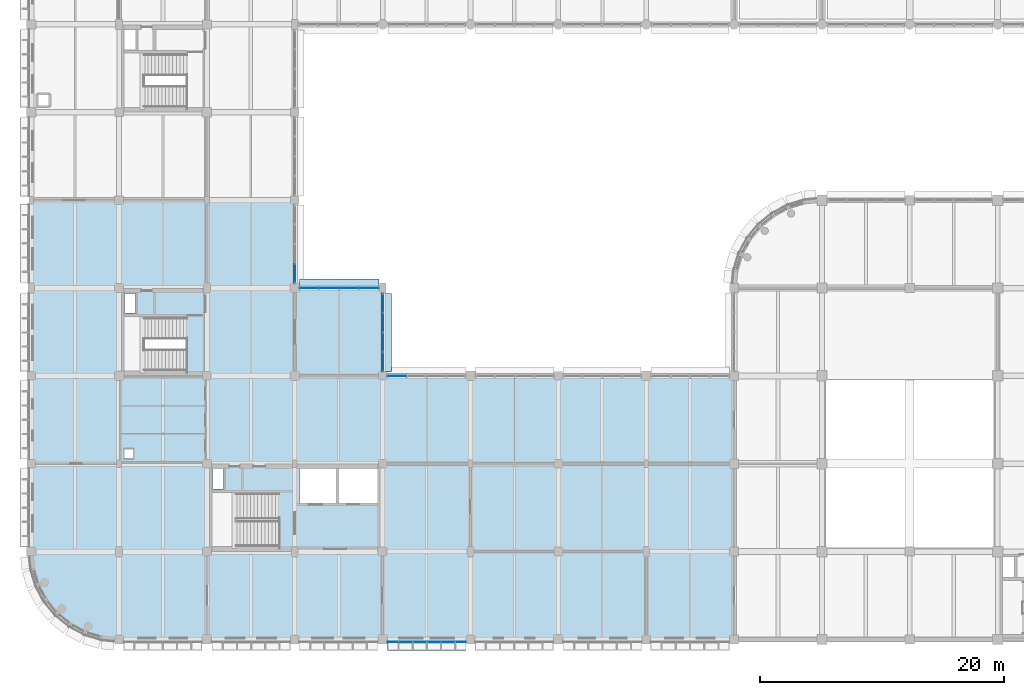
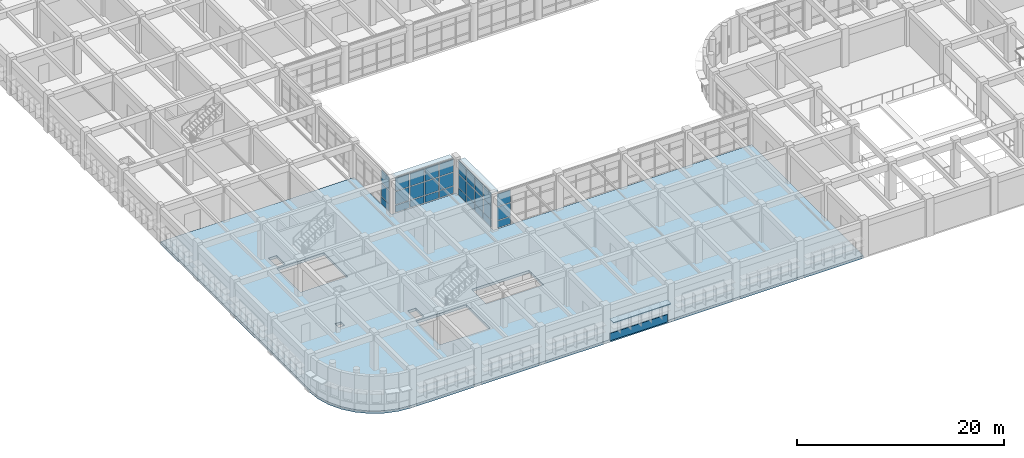
# One storey, part 118 of 171: 34 plates, 1 slab, 4 elements without a shape of their own.
"""IFC4 building model written with IfcOpenShell, lengths in metres."""

import ifcopenshell
import ifcopenshell.guid

model = None  # the IFC model being written
_history = None  # IfcOwnerHistory: only IFC2X3 demands one
_inside = {}  # id of a spatial element -> (the spatial element, [elements in it])
_under = {}  # id of a project, library or spatial element -> (it, [spatial elements below it])
_declared = {}  # id of a project -> (the project, [libraries it declares])
_typed = {}  # id of a type object -> (the type object, [elements of that type])
_made_of = {}  # id of a material, layer set ... -> (it, [elements and type objects made of it])


def new_model(schema):
    """Start an empty IFC model of exactly this schema.

    Asked for "IFC4X3", IfcOpenShell would pick the latest addendum, in which some entities
    have other attributes; the version numbers below select the first issue.
    IFC2X3 requires an IfcOwnerHistory on every rooted entity: one is made here for all.
    """
    global model, _history
    if schema == "IFC4X3":
        model = ifcopenshell.file(schema_version=(4, 3, 0, 0))
    else:
        model = ifcopenshell.file(schema=schema)
    _inside.clear()
    _under.clear()
    _declared.clear()
    _typed.clear()
    _made_of.clear()
    _history = None
    if model.schema == "IFC2X3":
        org = make("IfcOrganization", Name="unknown")
        user = make(
            "IfcPersonAndOrganization",
            ThePerson=make("IfcPerson", FamilyName="unknown"),
            TheOrganization=org,
        )
        app = make(
            "IfcApplication",
            ApplicationDeveloper=org,
            Version="unknown",
            ApplicationFullName="unknown",
            ApplicationIdentifier="unknown",
        )
        _history = make(
            "IfcOwnerHistory",
            OwningUser=user,
            OwningApplication=app,
            ChangeAction="ADDED",
            CreationDate=0,
        )
    return model


def make(cls, **values):
    """One entity of the class cls with the attributes given. An attribute that is None is left unset."""
    return model.create_entity(
        cls, **{name: value for name, value in values.items() if value is not None}
    )


def rooted(cls, **values):
    """An entity with a GlobalId (a new one), such as an element, a storey or a relation."""
    return make(cls, GlobalId=ifcopenshell.guid.new(), OwnerHistory=_history, **values)


def si_unit(unit_type, name, prefix=None):
    """IfcSIUnit, for example si_unit("LENGTHUNIT", "METRE", prefix="MILLI")."""
    return make("IfcSIUnit", UnitType=unit_type, Prefix=prefix, Name=name)


def assignment(units):
    """IfcUnitAssignment: the units of a project."""
    return None if units is None else make("IfcUnitAssignment", Units=units)


def point(xyz):
    """IfcCartesianPoint."""
    return None if xyz is None else make("IfcCartesianPoint", Coordinates=xyz)


def direction(xyz):
    """IfcDirection."""
    return None if xyz is None else make("IfcDirection", DirectionRatios=xyz)


def frame(location, z_axis=None, x_axis=None):
    """IfcAxis2Placement3D, a coordinate frame: its origin and axes. An axis left out is left unset."""
    return make(
        "IfcAxis2Placement3D",
        Location=point(location),
        Axis=direction(z_axis),
        RefDirection=direction(x_axis),
    )


def frame_2d(location, x_axis=None):
    """IfcAxis2Placement2D, a coordinate frame in the plane: its origin and x axis."""
    return make(
        "IfcAxis2Placement2D", Location=point(location), RefDirection=direction(x_axis)
    )


def origin():
    """The frame at (0, 0, 0) with its axes left unset."""
    return frame((0.0, 0.0, 0.0))


def origin_2d():
    """The frame at (0, 0) in the plane with its x axis left unset."""
    return frame_2d((0.0, 0.0))


def place(relative_to, where):
    """IfcLocalPlacement: puts the frame where relative to a parent placement (None: the world)."""
    return make(
        "IfcLocalPlacement", PlacementRelTo=relative_to, RelativePlacement=where
    )


def context(
    kind, dimensions, precision=None, world=None, true_north=None, identifier=None
):
    """IfcGeometricRepresentationContext, for example the 3D "Model" context."""
    return make(
        "IfcGeometricRepresentationContext",
        ContextIdentifier=identifier,
        ContextType=kind,
        CoordinateSpaceDimension=dimensions,
        Precision=precision,
        WorldCoordinateSystem=world,
        TrueNorth=true_north,
    )


def subcontext(parent, identifier, kind, view, scale=None):
    """IfcGeometricRepresentationSubContext, for example "Body" below "Model"."""
    return make(
        "IfcGeometricRepresentationSubContext",
        ContextIdentifier=identifier,
        ContextType=kind,
        ParentContext=parent,
        TargetScale=scale,
        TargetView=view,
    )


def project(units=None, contexts=None):
    """IfcProject with its units and contexts."""
    return rooted(
        "IfcProject",
        Name="project",
        RepresentationContexts=contexts,
        UnitsInContext=assignment(units),
    )


def spatial(cls, under=None, at=None, **own):
    """A site, building, storey or space (cls), placed at a placement, below another one or the project."""
    s = rooted(cls, ObjectPlacement=at, **own)
    if under is not None:
        _under.setdefault(under.id(), (under, []))[1].append(s)
    return s


def polyline(points):
    """IfcPolyline through the points."""
    return make("IfcPolyline", Points=[point(p) for p in points])


def profile(cls, at=None, kind="AREA", **sizes):
    """A parametric profile (cls). Its sizes go by their IFC names, for example OverallWidth=200.0."""
    return make(cls, ProfileType=kind, Position=at, **sizes)


def rectangle(**sizes):
    """IfcRectangleProfileDef."""
    return profile("IfcRectangleProfileDef", **sizes)


def outline(outer, holes=None, kind="AREA"):
    """IfcArbitraryClosedProfileDef: a profile drawn as a closed curve; with holes, ...WithVoids."""
    if holes is None:
        return make("IfcArbitraryClosedProfileDef", ProfileType=kind, OuterCurve=outer)
    return make(
        "IfcArbitraryProfileDefWithVoids",
        ProfileType=kind,
        OuterCurve=outer,
        InnerCurves=holes,
    )


def extrude(swept, where, along, depth):
    """IfcExtrudedAreaSolid: the profile swept, set in the frame where, extruded along a direction by depth."""
    return make(
        "IfcExtrudedAreaSolid",
        SweptArea=swept,
        Position=where,
        ExtrudedDirection=direction(along),
        Depth=depth,
    )


def shape(context_of_items, identifier, shape_type, items):
    """IfcShapeRepresentation: the items that make up one representation, for example the "Body"."""
    return make(
        "IfcShapeRepresentation",
        ContextOfItems=context_of_items,
        RepresentationIdentifier=identifier,
        RepresentationType=shape_type,
        Items=items,
    )


def material(Name=None, Category=None):
    """IfcMaterial."""
    return make("IfcMaterial", Name=Name, Category=Category)


def layer(
    of_material, thickness, ventilated=None, Name=None, Category=None, Priority=None
):
    """IfcMaterialLayer: one layer of a wall or slab, of a material (None: an air gap)."""
    return make(
        "IfcMaterialLayer",
        Material=of_material,
        LayerThickness=thickness,
        IsVentilated=ventilated,
        Name=Name,
        Category=Category,
        Priority=Priority,
    )


def layer_set(layers, Name=None):
    """IfcMaterialLayerSet."""
    return make("IfcMaterialLayerSet", MaterialLayers=layers, LayerSetName=Name)


def made_of(thing, what):
    """Note that an element or type object is made of a material, layer set ...; save() writes the relation."""
    if what is not None:
        _made_of.setdefault(what.id(), (what, []))[1].append(thing)
    return thing


def type_object(cls, material=None, **own):
    """A type object (cls), such as IfcWallType, which elements share."""
    return made_of(rooted(cls, **own), material)


def element(
    cls,
    number,
    at=None,
    inside=None,
    cuts=None,
    type_object=None,
    material=None,
    context=None,
    identifier="Body",
    shape_type=None,
    held_by="IfcProductDefinitionShape",
    body=None,
    shapes=None,
    **own,
):
    """One element of the class cls, such as IfcWall. Its Tag is "e" and its number.

    at: its placement. inside: the storey or other place that contains it. cuts: it is an
    opening in that element (IfcRelVoidsElement). A single representation is given by context,
    identifier, shape_type and body (its items); several are given by shapes. held_by: the class
    of the entity that holds the representations. save() writes the other relations.
    """
    e = rooted(cls, Tag="e%d" % number, ObjectPlacement=at, **own)
    if body is not None:
        shapes = [shape(context, identifier, shape_type, body)]
    if shapes is not None:
        e.Representation = make(held_by, Representations=shapes)
    if inside is not None:
        _inside.setdefault(inside.id(), (inside, []))[1].append(e)
    if cuts is not None:
        rooted(
            "IfcRelVoidsElement", RelatingBuildingElement=cuts, RelatedOpeningElement=e
        )
    if type_object is not None:
        _typed.setdefault(type_object.id(), (type_object, []))[1].append(e)
    return made_of(e, material)


def aggregate(whole, parts):
    """IfcRelAggregates: a whole, such as a stair, and the parts it consists of."""
    return rooted("IfcRelAggregates", RelatingObject=whole, RelatedObjects=parts)


def save(model, path):
    """Write the relations noted so far, then the file.

    IfcRelAggregates (storeys below a building ...), IfcRelContainedInSpatialStructure (elements
    in a storey), IfcRelDefinesByType, IfcRelAssociatesMaterial and IfcRelDeclares: one each for
    every whole, place, type object, material and project.
    """
    for whole, parts in _under.values():
        aggregate(whole, parts)
    for where, things in _inside.values():
        rooted(
            "IfcRelContainedInSpatialStructure",
            RelatedElements=things,
            RelatingStructure=where,
        )
    for kind, things in _typed.values():
        rooted("IfcRelDefinesByType", RelatedObjects=things, RelatingType=kind)
    for what, things in _made_of.values():
        rooted("IfcRelAssociatesMaterial", RelatedObjects=things, RelatingMaterial=what)
    for by, libraries in _declared.values():
        rooted("IfcRelDeclares", RelatingContext=by, RelatedDefinitions=libraries)
    model.write(path)


model = new_model("IFC4")

# Units and contexts
model_context = context("Model", 3, precision=1e-05, world=origin(), true_north=direction((0.0, 1.0)))
body_context = subcontext(model_context, "Body", "Model", "MODEL_VIEW")
ifc_project = project(units=[si_unit("LENGTHUNIT", "METRE"), si_unit("AREAUNIT", "SQUARE_METRE"), si_unit("VOLUMEUNIT", "CUBIC_METRE"), si_unit("PLANEANGLEUNIT", "RADIAN"), si_unit("MASSUNIT", "GRAM", prefix="KILO")], contexts=[model_context])

# Site, building, storey
site_placement = place(None, origin())
site = spatial("IfcSite", under=ifc_project, at=site_placement, CompositionType="ELEMENT")
building_placement = place(site_placement, origin())
building = spatial("IfcBuilding", under=site, at=building_placement, Name="Thalmaran Polytechnic", CompositionType="ELEMENT")
storey_placement = place(building_placement, frame((0.0, 0.0, 5.39990234375)))
storey = spatial("IfcBuildingStorey", under=building, at=storey_placement, Name="L01", CompositionType="ELEMENT", Elevation=5.39990234375)

# Plates
ifc_material_1 = material(Name="Anodised aluminium spandrel band", Category="aluminium")
ifc_layer_1 = layer(ifc_material_1, 0.054931640625, Name="Anodised aluminium spandrel band")
ifc_layer_set_1 = layer_set([ifc_layer_1], Name="Anodised aluminium spandrel band")
plate_type_1 = type_object("IfcPlateType", Name="PT-BD01", PredefinedType="SHEET", material=ifc_layer_set_1)
plate_1_placement = place(storey_placement, frame((32.419921875, -0.195068359375, 0.020263671875), z_axis=(0.0, 0.0, 1.0), x_axis=(-1.0, 0.0, 0.0)))
element("IfcPlate", 1, at=plate_1_placement, inside=storey, type_object=plate_type_1, Name="Streamline Horizontal Spandrel Band L01-088", PredefinedType="SHEET", context=body_context, shape_type="SweptSolid", body=[
    extrude(rectangle(XDim=6.419921875, YDim=0.054931640625, at=origin_2d()), origin(), (0.0, 0.0, 1.0), 0.8798828125),
])
ifc_material_2 = material(Name="Anodised aluminium sun-hood eyebrow", Category="aluminium")
ifc_layer_2 = layer(ifc_material_2, 0.0849609375, Name="Anodised aluminium sun-hood eyebrow")
ifc_layer_set_2 = layer_set([ifc_layer_2], Name="Anodised aluminium sun-hood eyebrow")
plate_type_2 = type_object("IfcPlateType", Name="PT-EB01", PredefinedType="SHEET", material=ifc_layer_set_2)
plate_2_placement = place(storey_placement, frame((32.419921875, -0.5400390625, 2.517578125), z_axis=(0.0, 0.0, 1.0), x_axis=(-1.0, 0.0, 0.0)))
element("IfcPlate", 2, at=plate_2_placement, inside=storey, type_object=plate_type_2, Name="Streamline Sun-Hood Eyebrow L01-088", PredefinedType="SHEET", context=body_context, shape_type="SweptSolid", body=[
    extrude(rectangle(XDim=6.419921875, YDim=0.760009765625, at=origin_2d()), origin(), (0.0, 0.0, 1.0), 0.0849609375),
])
plate_3_placement = place(storey_placement, frame((25.25, 29.159912109375, 4.107666015625), z_axis=(0.0, 0.0, 1.0), x_axis=(1.0, 0.0, 0.0)))
element("IfcPlate", 3, at=plate_3_placement, inside=storey, type_object=plate_type_2, Name="Streamline Sun-Hood Eyebrow L01-CW161", PredefinedType="SHEET", context=body_context, shape_type="SweptSolid", body=[
    extrude(rectangle(XDim=6.510009765625, YDim=0.760009765625, at=origin_2d()), origin(), (0.0, 0.0, 1.0), 0.0849609375),
])
plate_4_placement = place(storey_placement, frame((29.159912109375, 25.16259765625, 4.107666015625), z_axis=(0.0, 0.0, 1.0), x_axis=(0.0, -1.0, 0.0)))
element("IfcPlate", 4, at=plate_4_placement, inside=storey, type_object=plate_type_2, Name="Streamline Sun-Hood Eyebrow L01-CW162", PredefinedType="SHEET", context=body_context, shape_type="SweptSolid", body=[
    extrude(rectangle(XDim=6.385009765625, YDim=0.760009765625, at=origin_2d()), origin(), (0.0, 0.0, 1.0), 0.0849609375),
])

# Curtain wall, plates
ifc_material_3 = material(Name="Aluminium 6063-T6", Category="aluminium")
curtain_wall_type = type_object("IfcCurtainWallType", Name="CW-UC02", PredefinedType="USERDEFINED", material=ifc_material_3)
curtain_wall_1_placement = place(storey_placement, origin())
curtain_wall_1 = element("IfcCurtainWall", 5, at=curtain_wall_1_placement, inside=storey, type_object=curtain_wall_type, Name="Curtain Wall CW-L01-160", ObjectType="UNITISED CURTAIN WALL", PredefinedType="USERDEFINED")
ifc_material_4 = material(Name="Solar-control double low-E glass", Category="glass")
ifc_layer_3 = layer(ifc_material_4, 0.035888671875, Name="Solar-control double low-E glass")
ifc_layer_set_3 = layer_set([ifc_layer_3], Name="Solar-control double low-E glass")
plate_type_3 = type_object("IfcPlateType", Name="PT-GL01", PredefinedType="CURTAIN_PANEL", material=ifc_layer_set_3)
plate_5_placement = place(storey_placement, frame((21.60009765625, 29.983154296875, 1.000244140625), z_axis=(0.0, 0.0, 1.0), x_axis=(0.0, -1.0, 0.0)))
plate_5 = element("IfcPlate", 6, at=plate_5_placement, type_object=plate_type_3, Name="CW-L01-160 Vision Panel 4-2", PredefinedType="CURTAIN_PANEL", context=body_context, shape_type="SweptSolid", body=[
    extrude(rectangle(XDim=1.516357421875, YDim=0.035888671875, at=origin_2d()), origin(), (0.0, 0.0, 1.0), 1.544921875),
])
plate_6_placement = place(storey_placement, frame((21.60009765625, 29.983154296875, 2.625), z_axis=(0.0, 0.0, 1.0), x_axis=(0.0, -1.0, 0.0)))
plate_6 = element("IfcPlate", 7, at=plate_6_placement, type_object=plate_type_3, Name="CW-L01-160 Vision Panel 4-3", PredefinedType="CURTAIN_PANEL", context=body_context, shape_type="SweptSolid", body=[
    extrude(rectangle(XDim=1.516357421875, YDim=0.035888671875, at=origin_2d()), origin(), (0.0, 0.0, 1.0), 1.485107421875),
])

curtain_wall_2_placement = place(storey_placement, origin())
curtain_wall_2 = element("IfcCurtainWall", 8, at=curtain_wall_2_placement, inside=storey, type_object=curtain_wall_type, Name="Curtain Wall CW-L01-161", ObjectType="UNITISED CURTAIN WALL", PredefinedType="USERDEFINED")
ifc_layer_4 = layer(ifc_material_4, 0.035888671875, Name="Solar-control double low-E glass")
ifc_layer_set_4 = layer_set([ifc_layer_4], Name="Solar-control double low-E glass")
plate_type_4 = type_object("IfcPlateType", Name="PT-GL02", PredefinedType="CURTAIN_PANEL", material=ifc_layer_set_4)
plate_7_placement = place(storey_placement, frame((22.793701171875, 28.800048828125, 1.000244140625), z_axis=(0.0, 0.0, 1.0), x_axis=(1.0, 0.0, 0.0)))
plate_7 = element("IfcPlate", 9, at=plate_7_placement, type_object=plate_type_4, Name="CW-L01-161 Vision Panel 1-2", PredefinedType="CURTAIN_PANEL", context=body_context, shape_type="SweptSolid", body=[
    extrude(rectangle(XDim=1.53759765625, YDim=0.035888671875, at=origin_2d()), origin(), (0.0, 0.0, 1.0), 1.544921875),
])
plate_8_placement = place(storey_placement, frame((22.793701171875, 28.800048828125, 2.625), z_axis=(0.0, 0.0, 1.0), x_axis=(1.0, 0.0, 0.0)))
plate_8 = element("IfcPlate", 10, at=plate_8_placement, type_object=plate_type_4, Name="CW-L01-161 Vision Panel 1-3", PredefinedType="CURTAIN_PANEL", context=body_context, shape_type="SweptSolid", body=[
    extrude(rectangle(XDim=1.53759765625, YDim=0.035888671875, at=origin_2d()), origin(), (0.0, 0.0, 1.0), 1.485107421875),
])
plate_9_placement = place(storey_placement, frame((24.43115234375, 28.800048828125, 1.000244140625), z_axis=(0.0, 0.0, 1.0), x_axis=(1.0, 0.0, 0.0)))
plate_9 = element("IfcPlate", 11, at=plate_9_placement, type_object=plate_type_4, Name="CW-L01-161 Vision Panel 2-2", PredefinedType="CURTAIN_PANEL", context=body_context, shape_type="SweptSolid", body=[
    extrude(rectangle(XDim=1.53759765625, YDim=0.035888671875, at=origin_2d()), origin(), (0.0, 0.0, 1.0), 1.544921875),
])
plate_10_placement = place(storey_placement, frame((24.43115234375, 28.800048828125, 2.625), z_axis=(0.0, 0.0, 1.0), x_axis=(1.0, 0.0, 0.0)))
plate_10 = element("IfcPlate", 12, at=plate_10_placement, type_object=plate_type_4, Name="CW-L01-161 Vision Panel 2-3", PredefinedType="CURTAIN_PANEL", context=body_context, shape_type="SweptSolid", body=[
    extrude(rectangle(XDim=1.53759765625, YDim=0.035888671875, at=origin_2d()), origin(), (0.0, 0.0, 1.0), 1.485107421875),
])
plate_11_placement = place(storey_placement, frame((26.06884765625, 28.800048828125, 1.000244140625), z_axis=(0.0, 0.0, 1.0), x_axis=(1.0, 0.0, 0.0)))
plate_11 = element("IfcPlate", 13, at=plate_11_placement, type_object=plate_type_4, Name="CW-L01-161 Vision Panel 3-2", PredefinedType="CURTAIN_PANEL", context=body_context, shape_type="SweptSolid", body=[
    extrude(rectangle(XDim=1.53759765625, YDim=0.035888671875, at=origin_2d()), origin(), (0.0, 0.0, 1.0), 1.544921875),
])
plate_12_placement = place(storey_placement, frame((26.06884765625, 28.800048828125, 2.625), z_axis=(0.0, 0.0, 1.0), x_axis=(1.0, 0.0, 0.0)))
plate_12 = element("IfcPlate", 14, at=plate_12_placement, type_object=plate_type_4, Name="CW-L01-161 Vision Panel 3-3", PredefinedType="CURTAIN_PANEL", context=body_context, shape_type="SweptSolid", body=[
    extrude(rectangle(XDim=1.53759765625, YDim=0.035888671875, at=origin_2d()), origin(), (0.0, 0.0, 1.0), 1.485107421875),
])
plate_13_placement = place(storey_placement, frame((27.706298828125, 28.800048828125, 1.000244140625), z_axis=(0.0, 0.0, 1.0), x_axis=(1.0, 0.0, 0.0)))
plate_13 = element("IfcPlate", 15, at=plate_13_placement, type_object=plate_type_4, Name="CW-L01-161 Vision Panel 4-2", PredefinedType="CURTAIN_PANEL", context=body_context, shape_type="SweptSolid", body=[
    extrude(rectangle(XDim=1.53759765625, YDim=0.035888671875, at=origin_2d()), origin(), (0.0, 0.0, 1.0), 1.544921875),
])
plate_14_placement = place(storey_placement, frame((27.706298828125, 28.800048828125, 2.625), z_axis=(0.0, 0.0, 1.0), x_axis=(1.0, 0.0, 0.0)))
plate_14 = element("IfcPlate", 16, at=plate_14_placement, type_object=plate_type_4, Name="CW-L01-161 Vision Panel 4-3", PredefinedType="CURTAIN_PANEL", context=body_context, shape_type="SweptSolid", body=[
    extrude(rectangle(XDim=1.53759765625, YDim=0.035888671875, at=origin_2d()), origin(), (0.0, 0.0, 1.0), 1.485107421875),
])

curtain_wall_3_placement = place(storey_placement, origin())
curtain_wall_3 = element("IfcCurtainWall", 17, at=curtain_wall_3_placement, inside=storey, type_object=curtain_wall_type, Name="Curtain Wall CW-L01-162", ObjectType="UNITISED CURTAIN WALL", PredefinedType="USERDEFINED")
ifc_layer_5 = layer(ifc_material_4, 0.035888671875, Name="Solar-control double low-E glass")
ifc_layer_set_5 = layer_set([ifc_layer_5], Name="Solar-control double low-E glass")
plate_type_5 = type_object("IfcPlateType", Name="PT-GL03", PredefinedType="CURTAIN_PANEL", material=ifc_layer_set_5)
plate_15_placement = place(storey_placement, frame((28.800048828125, 27.57177734375, 1.000244140625), z_axis=(0.0, 0.0, 1.0), x_axis=(0.0, -1.0, 0.0)))
plate_15 = element("IfcPlate", 18, at=plate_15_placement, type_object=plate_type_5, Name="CW-L01-162 Vision Panel 1-2", PredefinedType="CURTAIN_PANEL", context=body_context, shape_type="SweptSolid", body=[
    extrude(rectangle(XDim=1.50634765625, YDim=0.035888671875, at=origin_2d()), origin(), (0.0, 0.0, 1.0), 1.544921875),
])
plate_16_placement = place(storey_placement, frame((28.800048828125, 27.57177734375, 2.625), z_axis=(0.0, 0.0, 1.0), x_axis=(0.0, -1.0, 0.0)))
plate_16 = element("IfcPlate", 19, at=plate_16_placement, type_object=plate_type_5, Name="CW-L01-162 Vision Panel 1-3", PredefinedType="CURTAIN_PANEL", context=body_context, shape_type="SweptSolid", body=[
    extrude(rectangle(XDim=1.50634765625, YDim=0.035888671875, at=origin_2d()), origin(), (0.0, 0.0, 1.0), 1.485107421875),
])
plate_17_placement = place(storey_placement, frame((28.800048828125, 25.965576171875, 1.000244140625), z_axis=(0.0, 0.0, 1.0), x_axis=(0.0, -1.0, 0.0)))
plate_17 = element("IfcPlate", 20, at=plate_17_placement, type_object=plate_type_5, Name="CW-L01-162 Vision Panel 2-2", PredefinedType="CURTAIN_PANEL", context=body_context, shape_type="SweptSolid", body=[
    extrude(rectangle(XDim=1.50634765625, YDim=0.035888671875, at=origin_2d()), origin(), (0.0, 0.0, 1.0), 1.544921875),
])
plate_18_placement = place(storey_placement, frame((28.800048828125, 25.965576171875, 2.625), z_axis=(0.0, 0.0, 1.0), x_axis=(0.0, -1.0, 0.0)))
plate_18 = element("IfcPlate", 21, at=plate_18_placement, type_object=plate_type_5, Name="CW-L01-162 Vision Panel 2-3", PredefinedType="CURTAIN_PANEL", context=body_context, shape_type="SweptSolid", body=[
    extrude(rectangle(XDim=1.50634765625, YDim=0.035888671875, at=origin_2d()), origin(), (0.0, 0.0, 1.0), 1.485107421875),
])
plate_19_placement = place(storey_placement, frame((28.800048828125, 24.359375, 1.000244140625), z_axis=(0.0, 0.0, 1.0), x_axis=(0.0, -1.0, 0.0)))
plate_19 = element("IfcPlate", 22, at=plate_19_placement, type_object=plate_type_5, Name="CW-L01-162 Vision Panel 3-2", PredefinedType="CURTAIN_PANEL", context=body_context, shape_type="SweptSolid", body=[
    extrude(rectangle(XDim=1.50634765625, YDim=0.035888671875, at=origin_2d()), origin(), (0.0, 0.0, 1.0), 1.544921875),
])
plate_20_placement = place(storey_placement, frame((28.800048828125, 24.359375, 2.625), z_axis=(0.0, 0.0, 1.0), x_axis=(0.0, -1.0, 0.0)))
plate_20 = element("IfcPlate", 23, at=plate_20_placement, type_object=plate_type_5, Name="CW-L01-162 Vision Panel 3-3", PredefinedType="CURTAIN_PANEL", context=body_context, shape_type="SweptSolid", body=[
    extrude(rectangle(XDim=1.50634765625, YDim=0.035888671875, at=origin_2d()), origin(), (0.0, 0.0, 1.0), 1.485107421875),
])
plate_21_placement = place(storey_placement, frame((28.800048828125, 22.753173828125, 1.000244140625), z_axis=(0.0, 0.0, 1.0), x_axis=(0.0, -1.0, 0.0)))
plate_21 = element("IfcPlate", 24, at=plate_21_placement, type_object=plate_type_5, Name="CW-L01-162 Vision Panel 4-2", PredefinedType="CURTAIN_PANEL", context=body_context, shape_type="SweptSolid", body=[
    extrude(rectangle(XDim=1.50634765625, YDim=0.035888671875, at=origin_2d()), origin(), (0.0, 0.0, 1.0), 1.544921875),
])
plate_22_placement = place(storey_placement, frame((28.800048828125, 22.753173828125, 2.625), z_axis=(0.0, 0.0, 1.0), x_axis=(0.0, -1.0, 0.0)))
plate_22 = element("IfcPlate", 25, at=plate_22_placement, type_object=plate_type_5, Name="CW-L01-162 Vision Panel 4-3", PredefinedType="CURTAIN_PANEL", context=body_context, shape_type="SweptSolid", body=[
    extrude(rectangle(XDim=1.50634765625, YDim=0.035888671875, at=origin_2d()), origin(), (0.0, 0.0, 1.0), 1.485107421875),
])

curtain_wall_4_placement = place(storey_placement, origin())
curtain_wall_4 = element("IfcCurtainWall", 26, at=curtain_wall_4_placement, inside=storey, type_object=curtain_wall_type, Name="Curtain Wall CW-L01-163", ObjectType="UNITISED CURTAIN WALL", PredefinedType="USERDEFINED")
ifc_layer_6 = layer(ifc_material_4, 0.035888671875, Name="Solar-control double low-E glass")
ifc_layer_set_6 = layer_set([ifc_layer_6], Name="Solar-control double low-E glass")
plate_type_6 = type_object("IfcPlateType", Name="PT-GL04", PredefinedType="CURTAIN_PANEL", material=ifc_layer_set_6)
plate_23_placement = place(storey_placement, frame((29.95751953125, 21.60009765625, 1.000244140625), z_axis=(0.0, 0.0, 1.0), x_axis=(1.0, 0.0, 0.0)))
plate_23 = element("IfcPlate", 27, at=plate_23_placement, type_object=plate_type_6, Name="CW-L01-163 Vision Panel 1-2", PredefinedType="CURTAIN_PANEL", context=body_context, shape_type="SweptSolid", body=[
    extrude(rectangle(XDim=1.514892578125, YDim=0.035888671875, at=origin_2d()), origin(), (0.0, 0.0, 1.0), 1.544921875),
])
plate_24_placement = place(storey_placement, frame((29.95751953125, 21.60009765625, 2.625), z_axis=(0.0, 0.0, 1.0), x_axis=(1.0, 0.0, 0.0)))
plate_24 = element("IfcPlate", 28, at=plate_24_placement, type_object=plate_type_6, Name="CW-L01-163 Vision Panel 1-3", PredefinedType="CURTAIN_PANEL", context=body_context, shape_type="SweptSolid", body=[
    extrude(rectangle(XDim=1.514892578125, YDim=0.035888671875, at=origin_2d()), origin(), (0.0, 0.0, 1.0), 1.485107421875),
])

# Plate
ifc_material_5 = material(Name="Insulated anodised aluminium spandrel", Category="aluminium")
ifc_layer_7 = layer(ifc_material_5, 0.06005859375, Name="Insulated anodised aluminium spandrel")
ifc_layer_set_7 = layer_set([ifc_layer_7], Name="Insulated anodised aluminium spandrel")
plate_type_7 = type_object("IfcPlateType", Name="PT-SP01", PredefinedType="CURTAIN_PANEL", material=ifc_layer_set_7)
plate_25_placement = place(storey_placement, frame((28.800048828125, 27.57177734375, 0.10009765625), z_axis=(0.0, 0.0, 1.0), x_axis=(0.0, -1.0, 0.0)))
plate_25 = element("IfcPlate", 29, at=plate_25_placement, type_object=plate_type_7, Name="CW-L01-162 Spandrel Panel 1-1", PredefinedType="CURTAIN_PANEL", context=body_context, shape_type="SweptSolid", body=[
    extrude(rectangle(XDim=1.50634765625, YDim=0.06005859375, at=origin_2d()), origin(), (0.0, 0.0, 1.0), 0.820068359375),
])

plate_26_placement = place(storey_placement, frame((28.800048828125, 25.965576171875, 0.10009765625), z_axis=(0.0, 0.0, 1.0), x_axis=(0.0, -1.0, 0.0)))
plate_26 = element("IfcPlate", 30, at=plate_26_placement, type_object=plate_type_7, Name="CW-L01-162 Spandrel Panel 2-1", PredefinedType="CURTAIN_PANEL", context=body_context, shape_type="SweptSolid", body=[
    extrude(rectangle(XDim=1.50634765625, YDim=0.06005859375, at=origin_2d()), origin(), (0.0, 0.0, 1.0), 0.820068359375),
])

plate_27_placement = place(storey_placement, frame((28.800048828125, 24.359375, 0.10009765625), z_axis=(0.0, 0.0, 1.0), x_axis=(0.0, -1.0, 0.0)))
plate_27 = element("IfcPlate", 31, at=plate_27_placement, type_object=plate_type_7, Name="CW-L01-162 Spandrel Panel 3-1", PredefinedType="CURTAIN_PANEL", context=body_context, shape_type="SweptSolid", body=[
    extrude(rectangle(XDim=1.50634765625, YDim=0.06005859375, at=origin_2d()), origin(), (0.0, 0.0, 1.0), 0.820068359375),
])

plate_28_placement = place(storey_placement, frame((28.800048828125, 22.753173828125, 0.10009765625), z_axis=(0.0, 0.0, 1.0), x_axis=(0.0, -1.0, 0.0)))
plate_28 = element("IfcPlate", 32, at=plate_28_placement, type_object=plate_type_7, Name="CW-L01-162 Spandrel Panel 4-1", PredefinedType="CURTAIN_PANEL", context=body_context, shape_type="SweptSolid", body=[
    extrude(rectangle(XDim=1.50634765625, YDim=0.06005859375, at=origin_2d()), origin(), (0.0, 0.0, 1.0), 0.820068359375),
])

aggregate(curtain_wall_3, [plate_25, plate_15, plate_16, plate_26, plate_17, plate_18, plate_27, plate_19, plate_20, plate_28, plate_21, plate_22])

ifc_layer_8 = layer(ifc_material_5, 0.06005859375, Name="Insulated anodised aluminium spandrel")
ifc_layer_set_8 = layer_set([ifc_layer_8], Name="Insulated anodised aluminium spandrel")
plate_type_8 = type_object("IfcPlateType", Name="PT-SP02", PredefinedType="CURTAIN_PANEL", material=ifc_layer_set_8)
plate_29_placement = place(storey_placement, frame((21.60009765625, 29.983154296875, 0.10009765625), z_axis=(0.0, 0.0, 1.0), x_axis=(0.0, -1.0, 0.0)))
plate_29 = element("IfcPlate", 33, at=plate_29_placement, type_object=plate_type_8, Name="CW-L01-160 Spandrel Panel 4-1", PredefinedType="CURTAIN_PANEL", context=body_context, shape_type="SweptSolid", body=[
    extrude(rectangle(XDim=1.516357421875, YDim=0.06005859375, at=origin_2d()), origin(), (0.0, 0.0, 1.0), 0.820068359375),
])

aggregate(curtain_wall_1, [plate_29, plate_5, plate_6])

plate_30_placement = place(storey_placement, frame((29.95751953125, 21.60009765625, 0.10009765625), z_axis=(0.0, 0.0, 1.0), x_axis=(1.0, 0.0, 0.0)))
plate_30 = element("IfcPlate", 34, at=plate_30_placement, type_object=plate_type_8, Name="CW-L01-163 Spandrel Panel 1-1", PredefinedType="CURTAIN_PANEL", context=body_context, shape_type="SweptSolid", body=[
    extrude(rectangle(XDim=1.514892578125, YDim=0.06005859375, at=origin_2d()), origin(), (0.0, 0.0, 1.0), 0.820068359375),
])

aggregate(curtain_wall_4, [plate_30, plate_23, plate_24])

ifc_layer_9 = layer(ifc_material_5, 0.06005859375, Name="Insulated anodised aluminium spandrel")
ifc_layer_set_9 = layer_set([ifc_layer_9], Name="Insulated anodised aluminium spandrel")
plate_type_9 = type_object("IfcPlateType", Name="PT-SP03", PredefinedType="CURTAIN_PANEL", material=ifc_layer_set_9)
plate_31_placement = place(storey_placement, frame((22.793701171875, 28.800048828125, 0.10009765625), z_axis=(0.0, 0.0, 1.0), x_axis=(1.0, 0.0, 0.0)))
plate_31 = element("IfcPlate", 35, at=plate_31_placement, type_object=plate_type_9, Name="CW-L01-161 Spandrel Panel 1-1", PredefinedType="CURTAIN_PANEL", context=body_context, shape_type="SweptSolid", body=[
    extrude(rectangle(XDim=1.53759765625, YDim=0.06005859375, at=origin_2d()), origin(), (0.0, 0.0, 1.0), 0.820068359375),
])

plate_32_placement = place(storey_placement, frame((24.43115234375, 28.800048828125, 0.10009765625), z_axis=(0.0, 0.0, 1.0), x_axis=(1.0, 0.0, 0.0)))
plate_32 = element("IfcPlate", 36, at=plate_32_placement, type_object=plate_type_9, Name="CW-L01-161 Spandrel Panel 2-1", PredefinedType="CURTAIN_PANEL", context=body_context, shape_type="SweptSolid", body=[
    extrude(rectangle(XDim=1.53759765625, YDim=0.06005859375, at=origin_2d()), origin(), (0.0, 0.0, 1.0), 0.820068359375),
])

plate_33_placement = place(storey_placement, frame((26.06884765625, 28.800048828125, 0.10009765625), z_axis=(0.0, 0.0, 1.0), x_axis=(1.0, 0.0, 0.0)))
plate_33 = element("IfcPlate", 37, at=plate_33_placement, type_object=plate_type_9, Name="CW-L01-161 Spandrel Panel 3-1", PredefinedType="CURTAIN_PANEL", context=body_context, shape_type="SweptSolid", body=[
    extrude(rectangle(XDim=1.53759765625, YDim=0.06005859375, at=origin_2d()), origin(), (0.0, 0.0, 1.0), 0.820068359375),
])

plate_34_placement = place(storey_placement, frame((27.706298828125, 28.800048828125, 0.10009765625), z_axis=(0.0, 0.0, 1.0), x_axis=(1.0, 0.0, 0.0)))
plate_34 = element("IfcPlate", 38, at=plate_34_placement, type_object=plate_type_9, Name="CW-L01-161 Spandrel Panel 4-1", PredefinedType="CURTAIN_PANEL", context=body_context, shape_type="SweptSolid", body=[
    extrude(rectangle(XDim=1.53759765625, YDim=0.06005859375, at=origin_2d()), origin(), (0.0, 0.0, 1.0), 0.820068359375),
])

aggregate(curtain_wall_2, [plate_31, plate_7, plate_8, plate_32, plate_9, plate_10, plate_33, plate_11, plate_12, plate_34, plate_13, plate_14])

# Slab
ifc_material_6 = material(Name="Concrete C40/50", Category="concrete")
ifc_layer_10 = layer(ifc_material_6, 0.31005859375, Name="Concrete C40/50")
ifc_layer_set_10 = layer_set([ifc_layer_10], Name="Concrete C40/50")
slab_type = type_object("IfcSlabType", Name="SL-FL03", PredefinedType="FLOOR", material=ifc_layer_set_10)
slab_placement = place(storey_placement, frame((0.0, 0.0, -0.309814453125)))
element("IfcSlab", 39, at=slab_placement, inside=storey, type_object=slab_type, Name="V1S L01 Structural Slab", PredefinedType="FLOOR", context=body_context, shape_type="SweptSolid", body=[
    extrude(outline(polyline([(0.0, 21.60009765625), (0.0, 28.800048828125), (0.0, 36.0), (7.199951171875, 36.0), (14.39990234375, 36.0), (21.60009765625, 36.0), (21.60009765625, 28.800048828125), (28.800048828125, 28.800048828125), (28.800048828125, 21.60009765625), (36.0, 21.60009765625), (43.199951171875, 21.60009765625), (50.39990234375, 21.60009765625), (57.60009765625, 21.60009765625), (57.60009765625, 14.39990234375), (57.60009765625, 7.199951171875), (57.60009765625, 0.0), (50.39990234375, 0.0), (43.199951171875, 0.0), (36.0, 0.0), (28.800048828125, 0.0), (21.60009765625, 0.0), (14.39990234375, 0.0), (7.199951171875, 0.0), (5.79541015625, 0.138427734375), (4.444580078125, 0.548095703125), (3.199951171875, 1.21337890625), (2.10888671875, 2.10888671875), (1.21337890625, 3.199951171875), (0.548095703125, 4.444580078125), (0.138427734375, 5.79541015625), (0.0, 7.199951171875), (0.0, 14.39990234375), (0.0, 21.60009765625)]), holes=[polyline([(28.39990234375, 11.199951171875), (28.39990234375, 14.0), (22.0, 14.0), (22.0, 11.199951171875), (28.39990234375, 11.199951171875)]), polyline([(14.64990234375, 12.0400390625), (14.64990234375, 7.449951171875), (20.280029296875, 7.449951171875), (20.280029296875, 12.0400390625), (14.64990234375, 12.0400390625)]), polyline([(15.760009765625, 13.9599609375), (14.840087890625, 13.9599609375), (14.840087890625, 12.340087890625), (15.760009765625, 12.340087890625), (15.760009765625, 13.9599609375)]), polyline([(7.449951171875, 21.85009765625), (12.719970703125, 21.85009765625), (12.719970703125, 26.43994140625), (7.449951171875, 26.43994140625), (7.449951171875, 21.85009765625)]), polyline([(7.639892578125, 28.360107421875), (7.639892578125, 26.739990234375), (8.56005859375, 26.739990234375), (8.56005859375, 28.360107421875), (7.639892578125, 28.360107421875)]), polyline([(8.35009765625, 15.580078125), (7.64990234375, 15.580078125), (7.64990234375, 14.8798828125), (8.35009765625, 14.8798828125), (8.35009765625, 15.580078125)])]), origin(), (0.0, 0.0, 1.0), 0.309814453125),
])

save(model, "model.ifc")
